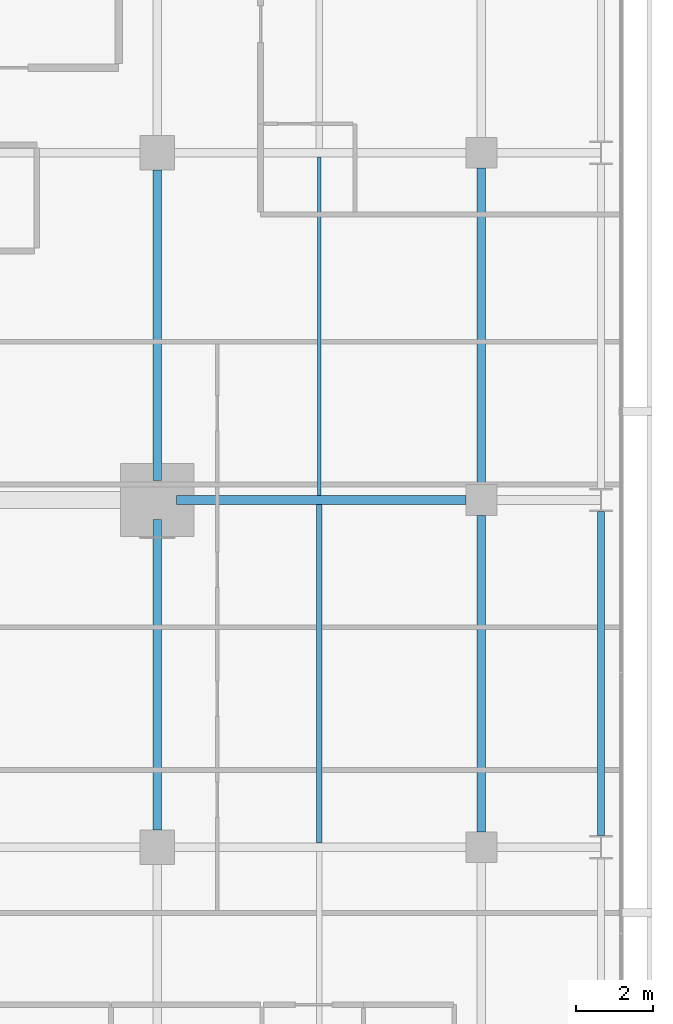
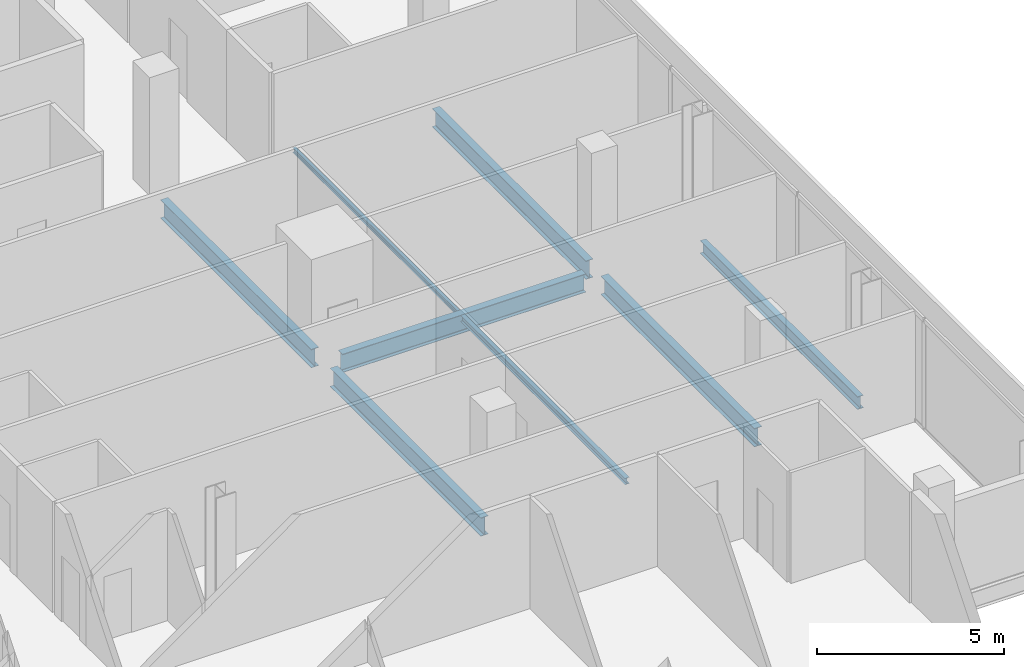
# One storey, part 16 of 34: 8 beams.
"""IFC4 building model written with IfcOpenShell, lengths in metres."""

from ifc_helpers import new_model, si_unit, direction, frame, origin, origin_2d, place, context, subcontext, project, spatial, i_section, extrude, material, material_profile, profile_set, type_object, element, save


model = new_model("IFC4")

# Units and contexts
model_context = context("Model", 3, precision=1e-05, world=origin(), true_north=direction((0.0, 1.0)))
body_context = subcontext(model_context, "Body", "Model", "MODEL_VIEW")
ifc_project = project(units=[si_unit("LENGTHUNIT", "METRE"), si_unit("AREAUNIT", "SQUARE_METRE"), si_unit("VOLUMEUNIT", "CUBIC_METRE"), si_unit("PLANEANGLEUNIT", "RADIAN"), si_unit("MASSUNIT", "GRAM", prefix="KILO")], contexts=[model_context])

# Site, building, storey
site_placement = place(None, origin())
site = spatial("IfcSite", under=ifc_project, at=site_placement, CompositionType="ELEMENT")
building_placement = place(site_placement, origin())
building = spatial("IfcBuilding", under=site, at=building_placement, Name="Maruvema Waterfront Hotel and Observation Tower", CompositionType="ELEMENT")
storey_placement = place(building_placement, frame((0.0, 0.0, 189.0)))
storey = spatial("IfcBuildingStorey", under=building, at=storey_placement, Name="L46", CompositionType="ELEMENT", Elevation=189.0)

# Beams
ifc_material_1 = material(Name="Steel ASTM A572 Grade 50", Category="steel")
ifc_material_profile_1 = material_profile(ifc_material_1, i_section(OverallWidth=0.180908203125, OverallDepth=0.4169921875, WebThickness=0.010986328125, FlangeThickness=0.018310546875, FilletRadius=0.014892578125, at=origin_2d()), Name="W410x85.0")
ifc_profile_set_1 = profile_set([ifc_material_profile_1], Name="Steel ASTM A572 Grade 50")
beam_type_1 = type_object("IfcBeamType", Name="Perimeter Spandrel Beam W410x85.0", PredefinedType="SPANDREL", material=ifc_profile_set_1)
beam_1_placement = place(storey_placement, frame((61.89990234375, 18.300048828125, -0.448486328125), z_axis=(0.0, 1.0, 0.0), x_axis=(-1.0, 0.0, 0.0)))
element("IfcBeam", 1, at=beam_1_placement, inside=storey, type_object=beam_type_1, Name="L46 Floor Girder NS-30", PredefinedType="SPANDREL", context=body_context, shape_type="SweptSolid", body=[
    extrude(i_section(OverallWidth=0.180908203125, OverallDepth=0.4169921875, WebThickness=0.010986328125, FlangeThickness=0.018310546875, FilletRadius=0.014892578125, at=origin_2d()), origin(), (0.0, 0.0, 1.0), 8.39990234375),
])
ifc_material_2 = material(Name="Steel ASTM A572 Grade 50", Category="steel")
ifc_material_profile_2 = material_profile(ifc_material_2, i_section(OverallWidth=0.22802734375, OverallDepth=0.60302734375, WebThickness=0.010498046875, FlangeThickness=0.014892578125, FilletRadius=0.01806640625, at=origin_2d()), Name="W610x101.0")
ifc_profile_set_2 = profile_set([ifc_material_profile_2], Name="Steel ASTM A572 Grade 50")
beam_type_2 = type_object("IfcBeamType", Name="Primary Floor Girder W610x101.0", PredefinedType="BEAM", material=ifc_profile_set_2)
beam_2_placement = place(storey_placement, frame((50.89990234375, 27.0, -0.54150390625), z_axis=(1.0, 0.0, 0.0), x_axis=(0.0, 1.0, 0.0)))
element("IfcBeam", 2, at=beam_2_placement, inside=storey, type_object=beam_type_2, Name="L46 Floor Girder EW-21", PredefinedType="BEAM", context=body_context, shape_type="SweptSolid", body=[
    extrude(i_section(OverallWidth=0.22802734375, OverallDepth=0.60302734375, WebThickness=0.010498046875, FlangeThickness=0.014892578125, FilletRadius=0.01806640625, at=origin_2d()), origin(), (0.0, 0.0, 1.0), 7.5),
])
for number, where, z_axis, x_axis, name in (
    (3, (50.39990234375, 18.449951171875, -0.54150390625), (0.0, 1.0, 0.0), (-1.0, 0.0, 0.0), "L46 Floor Girder NS-22"),
    (4, (50.39990234375, 27.5, -0.54150390625), (0.0, 1.0, 0.0), (-1.0, 0.0, 0.0), "L46 Floor Girder NS-23"),
):
    element("IfcBeam", number, at=place(storey_placement, frame(where, z_axis=z_axis, x_axis=x_axis)), inside=storey, type_object=beam_type_2, Name=name, PredefinedType="BEAM", context=body_context, shape_type="SweptSolid", body=[
        extrude(i_section(OverallWidth=0.22802734375, OverallDepth=0.60302734375, WebThickness=0.010498046875, FlangeThickness=0.014892578125, FilletRadius=0.01806640625, at=origin_2d()), origin(), (0.0, 0.0, 1.0), 8.050048828125),
    ])
for number, where, z_axis, x_axis, name in (
    (5, (58.800048828125, 18.39990234375, -0.54150390625), (0.0, 1.0, 0.0), (-1.0, 0.0, 0.0), "L46 Floor Girder NS-26"),
    (6, (58.800048828125, 27.39990234375, -0.54150390625), (0.0, 1.0, 0.0), (-1.0, 0.0, 0.0), "L46 Floor Girder NS-27"),
):
    element("IfcBeam", number, at=place(storey_placement, frame(where, z_axis=z_axis, x_axis=x_axis)), inside=storey, type_object=beam_type_2, Name=name, PredefinedType="BEAM", context=body_context, shape_type="SweptSolid", body=[
        extrude(i_section(OverallWidth=0.22802734375, OverallDepth=0.60302734375, WebThickness=0.010498046875, FlangeThickness=0.014892578125, FilletRadius=0.01806640625, at=origin_2d()), origin(), (0.0, 0.0, 1.0), 8.2001953125),
    ])
ifc_material_3 = material(Name="Steel ASTM A572 Grade 50", Category="steel")
ifc_material_profile_3 = material_profile(ifc_material_3, i_section(OverallWidth=0.10009765625, OverallDepth=0.153076171875, WebThickness=0.005859375, FlangeThickness=0.007080078125, FilletRadius=0.008056640625, at=origin_2d()), Name="W150x18.0")
ifc_profile_set_3 = profile_set([ifc_material_profile_3], Name="Steel ASTM A572 Grade 50")
beam_type_3 = type_object("IfcBeamType", Name="Secondary Floor Joist W150x18.0", PredefinedType="JOIST", material=ifc_profile_set_3)
beam_3_placement = place(storey_placement, frame((54.60009765625, 27.114013671875, -0.31640625), z_axis=(0.0, 1.0, 0.0), x_axis=(-1.0, 0.0, 0.0)))
element("IfcBeam", 7, at=beam_3_placement, inside=storey, type_object=beam_type_3, Name="L46 Secondary Floor Joist JS-13", PredefinedType="JOIST", context=body_context, shape_type="SweptSolid", body=[
    extrude(i_section(OverallWidth=0.10009765625, OverallDepth=0.153076171875, WebThickness=0.005859375, FlangeThickness=0.007080078125, FilletRadius=0.008056640625, at=origin_2d()), origin(), (0.0, 0.0, 1.0), 8.77197265625),
])
ifc_material_4 = material(Name="Steel ASTM A572 Grade 50", Category="steel")
ifc_material_profile_4 = material_profile(ifc_material_4, i_section(OverallWidth=0.133056640625, OverallDepth=0.20703125, WebThickness=0.005859375, FlangeThickness=0.00830078125, FilletRadius=0.010009765625, at=origin_2d()), Name="W200x26.6")
ifc_profile_set_4 = profile_set([ifc_material_profile_4], Name="Steel ASTM A572 Grade 50")
beam_type_4 = type_object("IfcBeamType", Name="Secondary Floor Joist W200x26.6", PredefinedType="JOIST", material=ifc_profile_set_4)
beam_4_placement = place(storey_placement, frame((54.60009765625, 18.114013671875, -0.343505859375), z_axis=(0.0, 1.0, 0.0), x_axis=(-1.0, 0.0, 0.0)))
element("IfcBeam", 8, at=beam_4_placement, inside=storey, type_object=beam_type_4, Name="L46 Secondary Floor Joist JS-12", PredefinedType="JOIST", context=body_context, shape_type="SweptSolid", body=[
    extrude(i_section(OverallWidth=0.133056640625, OverallDepth=0.20703125, WebThickness=0.005859375, FlangeThickness=0.00830078125, FilletRadius=0.010009765625, at=origin_2d()), origin(), (0.0, 0.0, 1.0), 8.77197265625),
])

save(model, "model.ifc")
